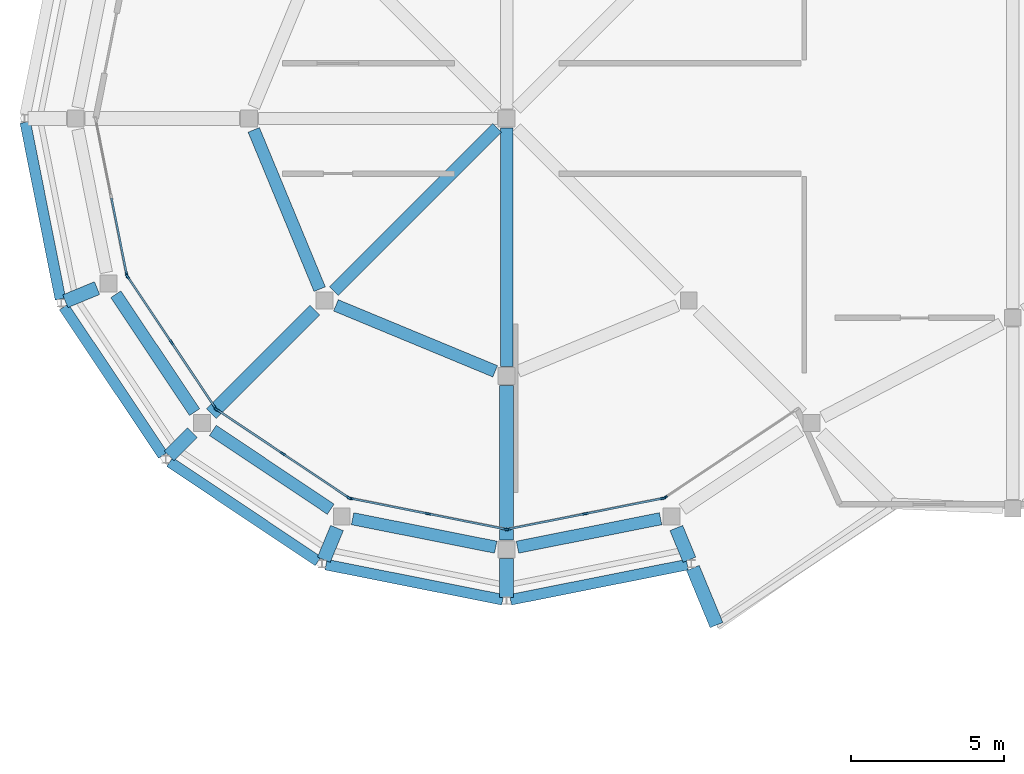
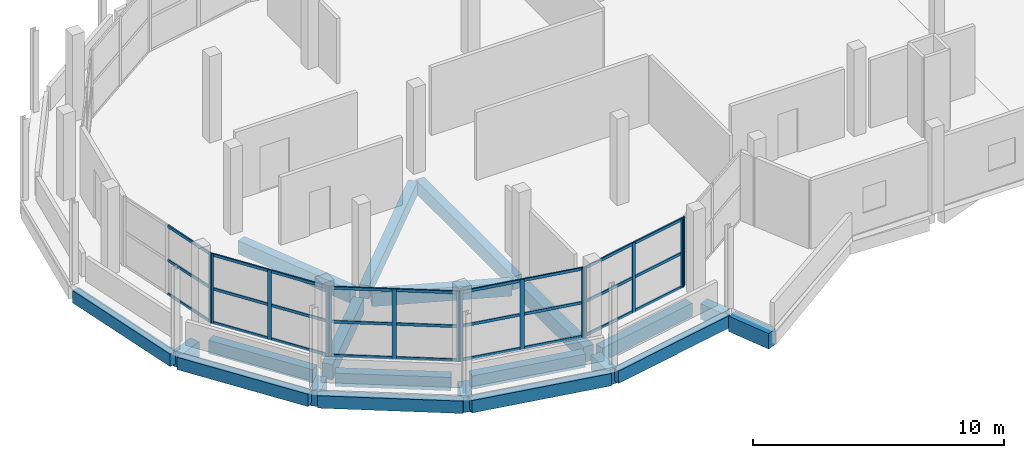
# One storey, part 6 of 63: 41 members, 21 beams, 6 elements without a shape of their own.
"""IFC4 building model written with IfcOpenShell, lengths in metres."""

from ifc_helpers import new_model, si_unit, direction, frame, origin, origin_2d, place, context, subcontext, project, spatial, rectangle, extrude, material, layer, layer_set, material_profile, profile_set, type_object, element, aggregate, save


model = new_model("IFC4")

# Units and contexts
model_context = context("Model", 3, precision=1e-05, world=origin(), true_north=direction((0.0, 1.0)))
body_context = subcontext(model_context, "Body", "Model", "MODEL_VIEW")
ifc_project = project(units=[si_unit("LENGTHUNIT", "METRE"), si_unit("AREAUNIT", "SQUARE_METRE"), si_unit("VOLUMEUNIT", "CUBIC_METRE"), si_unit("PLANEANGLEUNIT", "RADIAN"), si_unit("MASSUNIT", "GRAM", prefix="KILO")], contexts=[model_context])

# Site, building, storey
site_placement = place(None, origin())
site = spatial("IfcSite", under=ifc_project, at=site_placement, CompositionType="ELEMENT")
building_placement = place(site_placement, origin())
building = spatial("IfcBuilding", under=site, at=building_placement, Name="Jelvoka-Kovrelna Polytechnic", CompositionType="ELEMENT")
storey_placement = place(building_placement, frame((0.0, 0.0, 18.0)))
storey = spatial("IfcBuildingStorey", under=building, at=storey_placement, Name="L05", CompositionType="ELEMENT", Elevation=18.0)

# Beams
ifc_material_1 = material(Name="Concrete C40/50", Category="concrete")
ifc_material_profile_1 = material_profile(ifc_material_1, rectangle(XDim=0.39990234375, YDim=0.64990234375, at=origin_2d()), Name="RC 400x650")
ifc_profile_set_1 = profile_set([ifc_material_profile_1], Name="Concrete C40/50")
beam_type_1 = type_object("IfcBeamType", Name="Beam_RC_400x650", PredefinedType="BEAM", material=ifc_profile_set_1)
beam_1_placement = place(storey_placement, frame((25.189208984375, 42.189208984375, -0.574951171875), z_axis=(-0.707106781187, -0.707106781187, 0.0), x_axis=(0.707106781187, -0.707106781187, 0.0)))
element("IfcBeam", 1, at=beam_1_placement, inside=storey, type_object=beam_type_1, Name="L05 beam 2608", PredefinedType="BEAM", context=body_context, shape_type="SweptSolid", body=[
    extrude(rectangle(XDim=0.39990234375, YDim=0.64990234375, at=origin_2d()), origin(), (0.0, 0.0, 1.0), 7.52099609375),
])
beam_2_placement = place(storey_placement, frame((25.5, 42.195068359375, -0.574951171875), z_axis=(0.0, -1.0, 0.0), x_axis=(1.0, 0.0, 0.0)))
element("IfcBeam", 2, at=beam_2_placement, inside=storey, type_object=beam_type_1, Name="L05 beam 2610", PredefinedType="BEAM", context=body_context, shape_type="SweptSolid", body=[
    extrude(rectangle(XDim=0.39990234375, YDim=0.64990234375, at=origin_2d()), origin(), (0.0, 0.0, 1.0), 7.7900390625),
])
for number, where, z_axis, x_axis, name in (
    (3, (17.2548828125, 42.126220703125, -0.574951171875), (0.382680472226, -0.923880758636, 0.0), (0.923880758636, 0.382680472226, 0.0), "L05 beam 2617"),
    (4, (19.93408203125, 36.405517578125, -0.574951171875), (0.923880758636, -0.382680472226, 0.0), (0.382680472226, 0.923880758636, 0.0), "L05 beam 2618"),
):
    element("IfcBeam", number, at=place(storey_placement, frame(where, z_axis=z_axis, x_axis=x_axis)), inside=storey, type_object=beam_type_1, Name=name, PredefinedType="BEAM", context=body_context, shape_type="SweptSolid", body=[
        extrude(rectangle(XDim=0.39990234375, YDim=0.64990234375, at=origin_2d()), origin(), (0.0, 0.0, 1.0), 5.619873046875),
    ])
for number, where, z_axis, x_axis, name in (
    (5, (12.7587890625, 36.76513671875, -0.574951171875), (0.555553463908, -0.83148081682, 0.0), (0.83148081682, 0.555553463908, 0.0), "L05 beam 2627"),
    (6, (15.92333984375, 32.32568359375, -0.574951171875), (0.83148081682, -0.555553463908, 0.0), (0.555553463908, 0.83148081682, 0.0), "L05 beam 2628"),
):
    element("IfcBeam", number, at=place(storey_placement, frame(where, z_axis=z_axis, x_axis=x_axis)), inside=storey, type_object=beam_type_1, Name=name, PredefinedType="BEAM", context=body_context, shape_type="SweptSolid", body=[
        extrude(rectangle(XDim=0.39990234375, YDim=0.64990234375, at=origin_2d()), origin(), (0.0, 0.0, 1.0), 4.620361328125),
    ])
for number, where, z_axis, x_axis, name in (
    (7, (20.478515625, 29.44873046875, -0.574951171875), (0.98079325321, -0.195050235727, 0.0), (0.195050235727, 0.98079325321, 0.0), "L05 beam 2629"),
    (8, (25.855224609375, 28.520751953125, -0.574951171875), (0.98079325321, 0.195050235727, 0.0), (-0.195050235727, 0.98079325321, 0.0), "L05 beam 2630"),
):
    element("IfcBeam", number, at=place(storey_placement, frame(where, z_axis=z_axis, x_axis=x_axis)), inside=storey, type_object=beam_type_1, Name=name, PredefinedType="BEAM", context=body_context, shape_type="SweptSolid", body=[
        extrude(rectangle(XDim=0.39990234375, YDim=0.64990234375, at=origin_2d()), origin(), (0.0, 0.0, 1.0), 4.757568359375),
    ])
ifc_material_2 = material(Name="Concrete C40/50", Category="concrete")
ifc_material_profile_2 = material_profile(ifc_material_2, rectangle(XDim=0.449951171875, YDim=0.75, at=origin_2d()), Name="RC 450x750")
ifc_profile_set_2 = profile_set([ifc_material_profile_2], Name="Concrete C40/50")
beam_type_2 = type_object("IfcBeamType", Name="Beam_RC_450x750", PredefinedType="BEAM", material=ifc_profile_set_2)
beam_3_placement = place(storey_placement, frame((19.24951171875, 36.24951171875, -0.625), z_axis=(-0.707106781187, -0.707106781187, 0.0), x_axis=(0.707106781187, -0.707106781187, 0.0)))
element("IfcBeam", 9, at=beam_3_placement, inside=storey, type_object=beam_type_2, Name="L05 beam 2609", PredefinedType="BEAM", context=body_context, shape_type="SweptSolid", body=[
    extrude(rectangle(XDim=0.449951171875, YDim=0.75, at=origin_2d()), origin(), (0.0, 0.0, 1.0), 4.77099609375),
])
beam_4_placement = place(storey_placement, frame((25.5, 33.794921875, -0.625), z_axis=(0.0, -1.0, 0.0), x_axis=(1.0, 0.0, 0.0)))
element("IfcBeam", 10, at=beam_4_placement, inside=storey, type_object=beam_type_2, Name="L05 beam 2611", PredefinedType="BEAM", context=body_context, shape_type="SweptSolid", body=[
    extrude(rectangle(XDim=0.449951171875, YDim=0.75, at=origin_2d()), origin(), (0.0, 0.0, 1.0), 5.0400390625),
])
beam_5_placement = place(storey_placement, frame((12.145751953125, 36.968505859375, -0.625), z_axis=(-0.923881295129, -0.382679177001, 0.0), x_axis=(0.382679177001, -0.923881295129, 0.0)))
element("IfcBeam", 11, at=beam_5_placement, inside=storey, type_object=beam_type_2, Name="L05 beam 2640", PredefinedType="BEAM", context=body_context, shape_type="SweptSolid", body=[
    extrude(rectangle(XDim=0.449951171875, YDim=0.75, at=origin_2d()), origin(), (0.0, 0.0, 1.0), 1.11962890625),
])
beam_6_placement = place(storey_placement, frame((15.254150390625, 32.254150390625, -0.625), z_axis=(-0.707106781187, -0.707106781187, 0.0), x_axis=(0.707106781187, -0.707106781187, 0.0)))
element("IfcBeam", 12, at=beam_6_placement, inside=storey, type_object=beam_type_2, Name="L05 beam 2641", PredefinedType="BEAM", context=body_context, shape_type="SweptSolid", body=[
    extrude(rectangle(XDim=0.449951171875, YDim=0.75, at=origin_2d()), origin(), (0.0, 0.0, 1.0), 1.0703125),
])
beam_7_placement = place(storey_placement, frame((19.968505859375, 29.145751953125, -0.625), z_axis=(-0.382679177001, -0.923881295129, 0.0), x_axis=(0.923881295129, -0.382679177001, 0.0)))
element("IfcBeam", 13, at=beam_7_placement, inside=storey, type_object=beam_type_2, Name="L05 beam 2642", PredefinedType="BEAM", context=body_context, shape_type="SweptSolid", body=[
    extrude(rectangle(XDim=0.449951171875, YDim=0.75, at=origin_2d()), origin(), (0.0, 0.0, 1.0), 1.11962890625),
])
beam_8_placement = place(storey_placement, frame((25.5, 28.14501953125, -0.625), z_axis=(0.0, -1.0, 0.0), x_axis=(1.0, 0.0, 0.0)))
element("IfcBeam", 14, at=beam_8_placement, inside=storey, type_object=beam_type_2, Name="L05 beam 2643", PredefinedType="BEAM", context=body_context, shape_type="SweptSolid", body=[
    extrude(rectangle(XDim=0.449951171875, YDim=0.75, at=origin_2d()), origin(), (0.0, 0.0, 1.0), 1.258056640625),
])
beam_9_placement = place(storey_placement, frame((31.031494140625, 29.145751953125, -0.625), z_axis=(0.382679177001, -0.923881295129, 0.0), x_axis=(0.923881295129, 0.382679177001, 0.0)))
element("IfcBeam", 15, at=beam_9_placement, inside=storey, type_object=beam_type_2, Name="L05 beam 2644", PredefinedType="BEAM", context=body_context, shape_type="SweptSolid", body=[
    extrude(rectangle(XDim=0.449951171875, YDim=0.75, at=origin_2d()), origin(), (0.0, 0.0, 1.0), 1.11962890625),
])
beam_10_placement = place(storey_placement, frame((31.571533203125, 27.841796875, -0.625), z_axis=(0.38266938507, -0.923885350966, 0.0), x_axis=(0.923885350966, 0.38266938507, 0.0)))
element("IfcBeam", 16, at=beam_10_placement, inside=storey, type_object=beam_type_2, Name="L05 beam 2645", PredefinedType="BEAM", context=body_context, shape_type="SweptSolid", body=[
    extrude(rectangle(XDim=0.449951171875, YDim=0.75, at=origin_2d()), origin(), (0.0, 0.0, 1.0), 2.01416015625),
])

# Curtain wall, member
ifc_material_3 = material(Name="Anodised aluminium 6063-T6", Category="aluminium")
ifc_layer = layer(ifc_material_3, 0.179931640625)
ifc_layer_set = layer_set([ifc_layer], Name="Anodised aluminium 6063-T6")
curtain_wall_type = type_object("IfcCurtainWallType", Name="CW_Pavilion", PredefinedType="NOTDEFINED", material=ifc_layer_set)
curtain_wall_1_placement = place(storey_placement, origin())
curtain_wall_1 = element("IfcCurtainWall", 17, at=curtain_wall_1_placement, inside=storey, type_object=curtain_wall_type, Name="L05 glazed curtain wall 260", PredefinedType="NOTDEFINED")
ifc_material_4 = material(Name="Anodised aluminium 6063-T6", Category="aluminium")
ifc_material_profile_3 = material_profile(ifc_material_4, rectangle(XDim=0.06494140625, YDim=0.179931640625, at=origin_2d()), Name="ALU 65x180")
ifc_profile_set_3 = profile_set([ifc_material_profile_3], Name="Anodised aluminium 6063-T6")
member_type_1 = type_object("IfcMemberType", Name="Mullion_M-05", PredefinedType="MULLION", material=ifc_profile_set_3)
member_1_placement = place(storey_placement, frame((13.11376953125, 37.40380859375, -0.02490234375), z_axis=(0.0, 0.0, 1.0), x_axis=(-0.980786108197, -0.195086160371, 0.0)))
member_1 = element("IfcMember", 18, at=member_1_placement, type_object=member_type_1, Name="CW-05 mullion 1", PredefinedType="MULLION", context=body_context, shape_type="SweptSolid", body=[
    extrude(rectangle(XDim=0.06494140625, YDim=0.179931640625, at=origin_2d()), origin(), (0.0, 0.0, 1.0), 3.400146484375),
])

# Curtain wall, members
curtain_wall_2_placement = place(storey_placement, origin())
curtain_wall_2 = element("IfcCurtainWall", 19, at=curtain_wall_2_placement, inside=storey, type_object=curtain_wall_type, Name="L05 glazed curtain wall 261", PredefinedType="NOTDEFINED")
member_2_placement = place(storey_placement, frame((16.0068359375, 33.0517578125, -0.02490234375), z_axis=(0.0, 0.0, 1.0), x_axis=(-0.83146132254, -0.555582639326, 0.0)))
member_2 = element("IfcMember", 20, at=member_2_placement, type_object=member_type_1, Name="CW-05 mullion 1", PredefinedType="MULLION", context=body_context, shape_type="SweptSolid", body=[
    extrude(rectangle(XDim=0.06494140625, YDim=0.179931640625, at=origin_2d()), origin(), (0.0, 0.0, 1.0), 3.400146484375),
])
member_3_placement = place(storey_placement, frame((14.572509765625, 35.198486328125, -0.02490234375), z_axis=(0.0, 0.0, 1.0), x_axis=(-0.83146132254, -0.555582639326, 0.0)))
member_3 = element("IfcMember", 21, at=member_3_placement, type_object=member_type_1, Name="CW-05 mullion 2", PredefinedType="MULLION", context=body_context, shape_type="SweptSolid", body=[
    extrude(rectangle(XDim=0.06494140625, YDim=0.179931640625, at=origin_2d()), origin(), (0.0, 0.0, 1.0), 3.400146484375),
])
member_4_placement = place(storey_placement, frame((13.137939453125, 37.344970703125, -0.02490234375), z_axis=(0.0, 0.0, 1.0), x_axis=(-0.83146132254, -0.555582639326, 0.0)))
member_4 = element("IfcMember", 22, at=member_4_placement, type_object=member_type_1, Name="CW-05 mullion 3", PredefinedType="MULLION", context=body_context, shape_type="SweptSolid", body=[
    extrude(rectangle(XDim=0.06494140625, YDim=0.179931640625, at=origin_2d()), origin(), (0.0, 0.0, 1.0), 3.400146484375),
])

curtain_wall_3_placement = place(storey_placement, origin())
curtain_wall_3 = element("IfcCurtainWall", 23, at=curtain_wall_3_placement, inside=storey, type_object=curtain_wall_type, Name="L05 glazed curtain wall 262", PredefinedType="NOTDEFINED")
member_5_placement = place(storey_placement, frame((20.344970703125, 30.137939453125, -0.02490234375), z_axis=(0.0, 0.0, 1.0), x_axis=(-0.555582639326, -0.83146132254, 0.0)))
member_5 = element("IfcMember", 24, at=member_5_placement, type_object=member_type_1, Name="CW-05 mullion 1", PredefinedType="MULLION", context=body_context, shape_type="SweptSolid", body=[
    extrude(rectangle(XDim=0.06494140625, YDim=0.179931640625, at=origin_2d()), origin(), (0.0, 0.0, 1.0), 3.400146484375),
])
member_6_placement = place(storey_placement, frame((18.198486328125, 31.572509765625, -0.02490234375), z_axis=(0.0, 0.0, 1.0), x_axis=(-0.555582639326, -0.83146132254, 0.0)))
member_6 = element("IfcMember", 25, at=member_6_placement, type_object=member_type_1, Name="CW-05 mullion 2", PredefinedType="MULLION", context=body_context, shape_type="SweptSolid", body=[
    extrude(rectangle(XDim=0.06494140625, YDim=0.179931640625, at=origin_2d()), origin(), (0.0, 0.0, 1.0), 3.400146484375),
])
member_7_placement = place(storey_placement, frame((16.0517578125, 33.0068359375, -0.02490234375), z_axis=(0.0, 0.0, 1.0), x_axis=(-0.555582639326, -0.83146132254, 0.0)))
member_7 = element("IfcMember", 26, at=member_7_placement, type_object=member_type_1, Name="CW-05 mullion 3", PredefinedType="MULLION", context=body_context, shape_type="SweptSolid", body=[
    extrude(rectangle(XDim=0.06494140625, YDim=0.179931640625, at=origin_2d()), origin(), (0.0, 0.0, 1.0), 3.400146484375),
])

curtain_wall_4_placement = place(storey_placement, origin())
curtain_wall_4 = element("IfcCurtainWall", 27, at=curtain_wall_4_placement, inside=storey, type_object=curtain_wall_type, Name="L05 glazed curtain wall 263", PredefinedType="NOTDEFINED")
member_8_placement = place(storey_placement, frame((25.468017578125, 29.1064453125, -0.02490234375), z_axis=(0.0, 0.0, 1.0), x_axis=(-0.195086160371, -0.980786108197, 0.0)))
member_8 = element("IfcMember", 28, at=member_8_placement, type_object=member_type_1, Name="CW-05 mullion 1", PredefinedType="MULLION", context=body_context, shape_type="SweptSolid", body=[
    extrude(rectangle(XDim=0.06494140625, YDim=0.179931640625, at=origin_2d()), origin(), (0.0, 0.0, 1.0), 3.400146484375),
])
member_9_placement = place(storey_placement, frame((22.93603515625, 29.610107421875, -0.02490234375), z_axis=(0.0, 0.0, 1.0), x_axis=(-0.195086160371, -0.980786108197, 0.0)))
member_9 = element("IfcMember", 29, at=member_9_placement, type_object=member_type_1, Name="CW-05 mullion 2", PredefinedType="MULLION", context=body_context, shape_type="SweptSolid", body=[
    extrude(rectangle(XDim=0.06494140625, YDim=0.179931640625, at=origin_2d()), origin(), (0.0, 0.0, 1.0), 3.400146484375),
])
member_10_placement = place(storey_placement, frame((20.40380859375, 30.11376953125, -0.02490234375), z_axis=(0.0, 0.0, 1.0), x_axis=(-0.195086160371, -0.980786108197, 0.0)))
member_10 = element("IfcMember", 30, at=member_10_placement, type_object=member_type_1, Name="CW-05 mullion 3", PredefinedType="MULLION", context=body_context, shape_type="SweptSolid", body=[
    extrude(rectangle(XDim=0.06494140625, YDim=0.179931640625, at=origin_2d()), origin(), (0.0, 0.0, 1.0), 3.400146484375),
])

curtain_wall_5_placement = place(storey_placement, origin())
curtain_wall_5 = element("IfcCurtainWall", 31, at=curtain_wall_5_placement, inside=storey, type_object=curtain_wall_type, Name="L05 glazed curtain wall 264", PredefinedType="NOTDEFINED")
member_11_placement = place(storey_placement, frame((30.59619140625, 30.11376953125, -0.02490234375), z_axis=(0.0, 0.0, 1.0), x_axis=(0.195086160371, -0.980786108197, 0.0)))
member_11 = element("IfcMember", 32, at=member_11_placement, type_object=member_type_1, Name="CW-05 mullion 1", PredefinedType="MULLION", context=body_context, shape_type="SweptSolid", body=[
    extrude(rectangle(XDim=0.06494140625, YDim=0.179931640625, at=origin_2d()), origin(), (0.0, 0.0, 1.0), 3.400146484375),
])
member_12_placement = place(storey_placement, frame((28.06396484375, 29.610107421875, -0.02490234375), z_axis=(0.0, 0.0, 1.0), x_axis=(0.195086160371, -0.980786108197, 0.0)))
member_12 = element("IfcMember", 33, at=member_12_placement, type_object=member_type_1, Name="CW-05 mullion 2", PredefinedType="MULLION", context=body_context, shape_type="SweptSolid", body=[
    extrude(rectangle(XDim=0.06494140625, YDim=0.179931640625, at=origin_2d()), origin(), (0.0, 0.0, 1.0), 3.400146484375),
])
member_13_placement = place(storey_placement, frame((25.531982421875, 29.1064453125, -0.02490234375), z_axis=(0.0, 0.0, 1.0), x_axis=(0.195086160371, -0.980786108197, 0.0)))
member_13 = element("IfcMember", 34, at=member_13_placement, type_object=member_type_1, Name="CW-05 mullion 3", PredefinedType="MULLION", context=body_context, shape_type="SweptSolid", body=[
    extrude(rectangle(XDim=0.06494140625, YDim=0.179931640625, at=origin_2d()), origin(), (0.0, 0.0, 1.0), 3.400146484375),
])

# Curtain wall, member
curtain_wall_6_placement = place(storey_placement, origin())
curtain_wall_6 = element("IfcCurtainWall", 35, at=curtain_wall_6_placement, inside=storey, type_object=curtain_wall_type, Name="L05 glazed curtain wall 265", PredefinedType="NOTDEFINED")
member_14_placement = place(storey_placement, frame((30.655029296875, 30.137939453125, -0.02490234375), z_axis=(0.0, 0.0, 1.0), x_axis=(0.555582639326, -0.83146132254, 0.0)))
member_14 = element("IfcMember", 36, at=member_14_placement, type_object=member_type_1, Name="CW-05 mullion 3", PredefinedType="MULLION", context=body_context, shape_type="SweptSolid", body=[
    extrude(rectangle(XDim=0.06494140625, YDim=0.179931640625, at=origin_2d()), origin(), (0.0, 0.0, 1.0), 3.400146484375),
])
aggregate(curtain_wall_6, [member_14])

# Beams
ifc_material_5 = material(Name="Concrete C40/50", Category="concrete")
ifc_material_profile_4 = material_profile(ifc_material_5, rectangle(XDim=0.35009765625, YDim=0.60009765625, at=origin_2d()), Name="RC 350x600")
ifc_profile_set_4 = profile_set([ifc_material_profile_4], Name="Concrete C40/50")
beam_type_3 = type_object("IfcBeamType", Name="Spandrel_RC_350x600", PredefinedType="SPANDREL", material=ifc_profile_set_4)
beam_11_placement = place(storey_placement, frame((9.80517578125, 42.373046875, -0.550048828125), z_axis=(0.195109079005, -0.98078154922, 0.0), x_axis=(0.98078154922, 0.195109079005, 0.0)))
element("IfcBeam", 37, at=beam_11_placement, inside=storey, type_object=beam_type_3, Name="L05 beam 2651", PredefinedType="SPANDREL", context=body_context, shape_type="SweptSolid", body=[
    extrude(rectangle(XDim=0.35009765625, YDim=0.60009765625, at=origin_2d()), origin(), (0.0, 0.0, 1.0), 5.874755859375),
])
for number, where, z_axis, x_axis, name in (
    (38, (11.0634765625, 36.3544921875, -0.550048828125), (0.555561254279, -0.831475611635, 0.0), (0.831475611635, 0.555561254279, 0.0), "L05 beam 2652"),
    (39, (14.51416015625, 31.297607421875, -0.550048828125), (0.831475611635, -0.555561254279, 0.0), (0.555561254279, 0.831475611635, 0.0), "L05 beam 2653"),
):
    element("IfcBeam", number, at=place(storey_placement, frame(where, z_axis=z_axis, x_axis=x_axis)), inside=storey, type_object=beam_type_3, Name=name, PredefinedType="SPANDREL", context=body_context, shape_type="SweptSolid", body=[
        extrude(rectangle(XDim=0.35009765625, YDim=0.60009765625, at=origin_2d()), origin(), (0.0, 0.0, 1.0), 5.8212890625),
    ])
for number, where, z_axis, x_axis, name in (
    (40, (19.611083984375, 27.951416015625, -0.550048828125), (0.98078154922, -0.195109079005, 0.0), (0.195109079005, 0.98078154922, 0.0), "L05 beam 2654"),
    (41, (25.626953125, 26.80517578125, -0.550048828125), (0.98078154922, 0.195109079005, 0.0), (-0.195109079005, 0.98078154922, 0.0), "L05 beam 2655"),
):
    element("IfcBeam", number, at=place(storey_placement, frame(where, z_axis=z_axis, x_axis=x_axis)), inside=storey, type_object=beam_type_3, Name=name, PredefinedType="SPANDREL", context=body_context, shape_type="SweptSolid", body=[
        extrude(rectangle(XDim=0.35009765625, YDim=0.60009765625, at=origin_2d()), origin(), (0.0, 0.0, 1.0), 5.874755859375),
    ])

# Member
ifc_material_6 = material(Name="Anodised aluminium 6063-T6", Category="aluminium")
ifc_material_profile_5 = material_profile(ifc_material_6, rectangle(XDim=0.06494140625, YDim=0.135009765625, at=origin_2d()), Name="ALU 65x135")
ifc_profile_set_5 = profile_set([ifc_material_profile_5], Name="Anodised aluminium 6063-T6")
member_type_2 = type_object("IfcMemberType", Name="Transom_T-05", PredefinedType="USERDEFINED", material=ifc_profile_set_5)
member_15_placement = place(storey_placement, frame((13.107421875, 37.435791015625, 0.032470703125), z_axis=(-0.195089945547, 0.980785355287, 0.0), x_axis=(-0.980785355287, -0.195089945547, 0.0)))
member_15 = element("IfcMember", 42, at=member_15_placement, type_object=member_type_2, Name="CW-05 transom 1.1", ObjectType="TRANSOM", PredefinedType="USERDEFINED", context=body_context, shape_type="SweptSolid", body=[
    extrude(rectangle(XDim=0.06494140625, YDim=0.135009765625, at=origin_2d()), origin(), (0.0, 0.0, 1.0), 2.5166015625),
])

member_16_placement = place(storey_placement, frame((13.107421875, 37.435791015625, 1.675048828125), z_axis=(-0.195089945547, 0.980785355287, 0.0), x_axis=(-0.980785355287, -0.195089945547, 0.0)))
member_16 = element("IfcMember", 43, at=member_16_placement, type_object=member_type_2, Name="CW-05 transom 1.2", ObjectType="TRANSOM", PredefinedType="USERDEFINED", context=body_context, shape_type="SweptSolid", body=[
    extrude(rectangle(XDim=0.06494140625, YDim=0.135009765625, at=origin_2d()), origin(), (0.0, 0.0, 1.0), 2.5166015625),
])

member_17_placement = place(storey_placement, frame((13.107421875, 37.435791015625, 3.3173828125), z_axis=(-0.195089945547, 0.980785355287, 0.0), x_axis=(-0.980785355287, -0.195089945547, 0.0)))
member_17 = element("IfcMember", 44, at=member_17_placement, type_object=member_type_2, Name="CW-05 transom 1.3", ObjectType="TRANSOM", PredefinedType="USERDEFINED", context=body_context, shape_type="SweptSolid", body=[
    extrude(rectangle(XDim=0.06494140625, YDim=0.135009765625, at=origin_2d()), origin(), (0.0, 0.0, 1.0), 2.5166015625),
])

aggregate(curtain_wall_1, [member_1, member_15, member_16, member_17])

member_18_placement = place(storey_placement, frame((15.98876953125, 33.078857421875, 0.032470703125), z_axis=(-0.555572975667, 0.831467779718, 0.0), x_axis=(-0.831467779718, -0.555572975667, 0.0)))
member_18 = element("IfcMember", 45, at=member_18_placement, type_object=member_type_2, Name="CW-05 transom 1.1", ObjectType="TRANSOM", PredefinedType="USERDEFINED", context=body_context, shape_type="SweptSolid", body=[
    extrude(rectangle(XDim=0.06494140625, YDim=0.135009765625, at=origin_2d()), origin(), (0.0, 0.0, 1.0), 2.5166015625),
])

member_19_placement = place(storey_placement, frame((15.98876953125, 33.078857421875, 1.675048828125), z_axis=(-0.555572975667, 0.831467779718, 0.0), x_axis=(-0.831467779718, -0.555572975667, 0.0)))
member_19 = element("IfcMember", 46, at=member_19_placement, type_object=member_type_2, Name="CW-05 transom 1.2", ObjectType="TRANSOM", PredefinedType="USERDEFINED", context=body_context, shape_type="SweptSolid", body=[
    extrude(rectangle(XDim=0.06494140625, YDim=0.135009765625, at=origin_2d()), origin(), (0.0, 0.0, 1.0), 2.5166015625),
])

member_20_placement = place(storey_placement, frame((15.98876953125, 33.078857421875, 3.3173828125), z_axis=(-0.555572975667, 0.831467779718, 0.0), x_axis=(-0.831467779718, -0.555572975667, 0.0)))
member_20 = element("IfcMember", 47, at=member_20_placement, type_object=member_type_2, Name="CW-05 transom 1.3", ObjectType="TRANSOM", PredefinedType="USERDEFINED", context=body_context, shape_type="SweptSolid", body=[
    extrude(rectangle(XDim=0.06494140625, YDim=0.135009765625, at=origin_2d()), origin(), (0.0, 0.0, 1.0), 2.5166015625),
])

member_21_placement = place(storey_placement, frame((14.554443359375, 35.225341796875, 0.032470703125), z_axis=(-0.555640036612, 0.831422966795, 0.0), x_axis=(-0.831422966795, -0.555640036612, 0.0)))
member_21 = element("IfcMember", 48, at=member_21_placement, type_object=member_type_2, Name="CW-05 transom 2.1", ObjectType="TRANSOM", PredefinedType="USERDEFINED", context=body_context, shape_type="SweptSolid", body=[
    extrude(rectangle(XDim=0.06494140625, YDim=0.135009765625, at=origin_2d()), origin(), (0.0, 0.0, 1.0), 2.516845703125),
])

member_22_placement = place(storey_placement, frame((14.554443359375, 35.225341796875, 1.675048828125), z_axis=(-0.555640036612, 0.831422966795, 0.0), x_axis=(-0.831422966795, -0.555640036612, 0.0)))
member_22 = element("IfcMember", 49, at=member_22_placement, type_object=member_type_2, Name="CW-05 transom 2.2", ObjectType="TRANSOM", PredefinedType="USERDEFINED", context=body_context, shape_type="SweptSolid", body=[
    extrude(rectangle(XDim=0.06494140625, YDim=0.135009765625, at=origin_2d()), origin(), (0.0, 0.0, 1.0), 2.516845703125),
])

member_23_placement = place(storey_placement, frame((14.554443359375, 35.225341796875, 3.3173828125), z_axis=(-0.555640036612, 0.831422966795, 0.0), x_axis=(-0.831422966795, -0.555640036612, 0.0)))
member_23 = element("IfcMember", 50, at=member_23_placement, type_object=member_type_2, Name="CW-05 transom 2.3", ObjectType="TRANSOM", PredefinedType="USERDEFINED", context=body_context, shape_type="SweptSolid", body=[
    extrude(rectangle(XDim=0.06494140625, YDim=0.135009765625, at=origin_2d()), origin(), (0.0, 0.0, 1.0), 2.516845703125),
])

aggregate(curtain_wall_2, [member_2, member_3, member_4, member_18, member_19, member_20, member_21, member_22, member_23])

member_24_placement = place(storey_placement, frame((20.31787109375, 30.156005859375, 0.032470703125), z_axis=(-0.831422966795, 0.555640036612, 0.0), x_axis=(-0.555640036612, -0.831422966795, 0.0)))
member_24 = element("IfcMember", 51, at=member_24_placement, type_object=member_type_2, Name="CW-05 transom 1.1", ObjectType="TRANSOM", PredefinedType="USERDEFINED", context=body_context, shape_type="SweptSolid", body=[
    extrude(rectangle(XDim=0.06494140625, YDim=0.135009765625, at=origin_2d()), origin(), (0.0, 0.0, 1.0), 2.516845703125),
])

member_25_placement = place(storey_placement, frame((20.31787109375, 30.156005859375, 1.675048828125), z_axis=(-0.831422966795, 0.555640036612, 0.0), x_axis=(-0.555640036612, -0.831422966795, 0.0)))
member_25 = element("IfcMember", 52, at=member_25_placement, type_object=member_type_2, Name="CW-05 transom 1.2", ObjectType="TRANSOM", PredefinedType="USERDEFINED", context=body_context, shape_type="SweptSolid", body=[
    extrude(rectangle(XDim=0.06494140625, YDim=0.135009765625, at=origin_2d()), origin(), (0.0, 0.0, 1.0), 2.516845703125),
])

member_26_placement = place(storey_placement, frame((20.31787109375, 30.156005859375, 3.3173828125), z_axis=(-0.831422966795, 0.555640036612, 0.0), x_axis=(-0.555640036612, -0.831422966795, 0.0)))
member_26 = element("IfcMember", 53, at=member_26_placement, type_object=member_type_2, Name="CW-05 transom 1.3", ObjectType="TRANSOM", PredefinedType="USERDEFINED", context=body_context, shape_type="SweptSolid", body=[
    extrude(rectangle(XDim=0.06494140625, YDim=0.135009765625, at=origin_2d()), origin(), (0.0, 0.0, 1.0), 2.516845703125),
])

member_27_placement = place(storey_placement, frame((18.17138671875, 31.590576171875, 0.032470703125), z_axis=(-0.831467779718, 0.555572975667, 0.0), x_axis=(-0.555572975667, -0.831467779718, 0.0)))
member_27 = element("IfcMember", 54, at=member_27_placement, type_object=member_type_2, Name="CW-05 transom 2.1", ObjectType="TRANSOM", PredefinedType="USERDEFINED", context=body_context, shape_type="SweptSolid", body=[
    extrude(rectangle(XDim=0.06494140625, YDim=0.135009765625, at=origin_2d()), origin(), (0.0, 0.0, 1.0), 2.5166015625),
])

member_28_placement = place(storey_placement, frame((18.17138671875, 31.590576171875, 1.675048828125), z_axis=(-0.831467779718, 0.555572975667, 0.0), x_axis=(-0.555572975667, -0.831467779718, 0.0)))
member_28 = element("IfcMember", 55, at=member_28_placement, type_object=member_type_2, Name="CW-05 transom 2.2", ObjectType="TRANSOM", PredefinedType="USERDEFINED", context=body_context, shape_type="SweptSolid", body=[
    extrude(rectangle(XDim=0.06494140625, YDim=0.135009765625, at=origin_2d()), origin(), (0.0, 0.0, 1.0), 2.5166015625),
])

member_29_placement = place(storey_placement, frame((18.17138671875, 31.590576171875, 3.3173828125), z_axis=(-0.831467779718, 0.555572975667, 0.0), x_axis=(-0.555572975667, -0.831467779718, 0.0)))
member_29 = element("IfcMember", 56, at=member_29_placement, type_object=member_type_2, Name="CW-05 transom 2.3", ObjectType="TRANSOM", PredefinedType="USERDEFINED", context=body_context, shape_type="SweptSolid", body=[
    extrude(rectangle(XDim=0.06494140625, YDim=0.135009765625, at=origin_2d()), origin(), (0.0, 0.0, 1.0), 2.5166015625),
])

aggregate(curtain_wall_3, [member_5, member_6, member_7, member_24, member_25, member_26, member_27, member_28, member_29])

member_30_placement = place(storey_placement, frame((25.436279296875, 29.11279296875, 0.032470703125), z_axis=(-0.980789047023, 0.195071384983, 0.0), x_axis=(-0.195071384983, -0.980789047023, 0.0)))
member_30 = element("IfcMember", 57, at=member_30_placement, type_object=member_type_2, Name="CW-05 transom 1.1", ObjectType="TRANSOM", PredefinedType="USERDEFINED", context=body_context, shape_type="SweptSolid", body=[
    extrude(rectangle(XDim=0.06494140625, YDim=0.135009765625, at=origin_2d()), origin(), (0.0, 0.0, 1.0), 2.516845703125),
])

member_31_placement = place(storey_placement, frame((25.436279296875, 29.11279296875, 1.675048828125), z_axis=(-0.980789047023, 0.195071384983, 0.0), x_axis=(-0.195071384983, -0.980789047023, 0.0)))
member_31 = element("IfcMember", 58, at=member_31_placement, type_object=member_type_2, Name="CW-05 transom 1.2", ObjectType="TRANSOM", PredefinedType="USERDEFINED", context=body_context, shape_type="SweptSolid", body=[
    extrude(rectangle(XDim=0.06494140625, YDim=0.135009765625, at=origin_2d()), origin(), (0.0, 0.0, 1.0), 2.516845703125),
])

member_32_placement = place(storey_placement, frame((25.436279296875, 29.11279296875, 3.3173828125), z_axis=(-0.980789047023, 0.195071384983, 0.0), x_axis=(-0.195071384983, -0.980789047023, 0.0)))
member_32 = element("IfcMember", 59, at=member_32_placement, type_object=member_type_2, Name="CW-05 transom 1.3", ObjectType="TRANSOM", PredefinedType="USERDEFINED", context=body_context, shape_type="SweptSolid", body=[
    extrude(rectangle(XDim=0.06494140625, YDim=0.135009765625, at=origin_2d()), origin(), (0.0, 0.0, 1.0), 2.516845703125),
])

member_33_placement = place(storey_placement, frame((22.904052734375, 29.616455078125, 0.032470703125), z_axis=(-0.980785355287, 0.195089945547, 0.0), x_axis=(-0.195089945547, -0.980785355287, 0.0)))
member_33 = element("IfcMember", 60, at=member_33_placement, type_object=member_type_2, Name="CW-05 transom 2.1", ObjectType="TRANSOM", PredefinedType="USERDEFINED", context=body_context, shape_type="SweptSolid", body=[
    extrude(rectangle(XDim=0.06494140625, YDim=0.135009765625, at=origin_2d()), origin(), (0.0, 0.0, 1.0), 2.5166015625),
])

member_34_placement = place(storey_placement, frame((22.904052734375, 29.616455078125, 1.675048828125), z_axis=(-0.980785355287, 0.195089945547, 0.0), x_axis=(-0.195089945547, -0.980785355287, 0.0)))
member_34 = element("IfcMember", 61, at=member_34_placement, type_object=member_type_2, Name="CW-05 transom 2.2", ObjectType="TRANSOM", PredefinedType="USERDEFINED", context=body_context, shape_type="SweptSolid", body=[
    extrude(rectangle(XDim=0.06494140625, YDim=0.135009765625, at=origin_2d()), origin(), (0.0, 0.0, 1.0), 2.5166015625),
])

member_35_placement = place(storey_placement, frame((22.904052734375, 29.616455078125, 3.3173828125), z_axis=(-0.980785355287, 0.195089945547, 0.0), x_axis=(-0.195089945547, -0.980785355287, 0.0)))
member_35 = element("IfcMember", 62, at=member_35_placement, type_object=member_type_2, Name="CW-05 transom 2.3", ObjectType="TRANSOM", PredefinedType="USERDEFINED", context=body_context, shape_type="SweptSolid", body=[
    extrude(rectangle(XDim=0.06494140625, YDim=0.135009765625, at=origin_2d()), origin(), (0.0, 0.0, 1.0), 2.5166015625),
])

aggregate(curtain_wall_4, [member_8, member_9, member_10, member_30, member_31, member_32, member_33, member_34, member_35])

member_36_placement = place(storey_placement, frame((30.564208984375, 30.107421875, 0.032470703125), z_axis=(-0.980785355287, -0.195089945547, 0.0), x_axis=(0.195089945547, -0.980785355287, 0.0)))
member_36 = element("IfcMember", 63, at=member_36_placement, type_object=member_type_2, Name="CW-05 transom 1.1", ObjectType="TRANSOM", PredefinedType="USERDEFINED", context=body_context, shape_type="SweptSolid", body=[
    extrude(rectangle(XDim=0.06494140625, YDim=0.135009765625, at=origin_2d()), origin(), (0.0, 0.0, 1.0), 2.5166015625),
])

member_37_placement = place(storey_placement, frame((30.564208984375, 30.107421875, 1.675048828125), z_axis=(-0.980785355287, -0.195089945547, 0.0), x_axis=(0.195089945547, -0.980785355287, 0.0)))
member_37 = element("IfcMember", 64, at=member_37_placement, type_object=member_type_2, Name="CW-05 transom 1.2", ObjectType="TRANSOM", PredefinedType="USERDEFINED", context=body_context, shape_type="SweptSolid", body=[
    extrude(rectangle(XDim=0.06494140625, YDim=0.135009765625, at=origin_2d()), origin(), (0.0, 0.0, 1.0), 2.5166015625),
])

member_38_placement = place(storey_placement, frame((30.564208984375, 30.107421875, 3.3173828125), z_axis=(-0.980785355287, -0.195089945547, 0.0), x_axis=(0.195089945547, -0.980785355287, 0.0)))
member_38 = element("IfcMember", 65, at=member_38_placement, type_object=member_type_2, Name="CW-05 transom 1.3", ObjectType="TRANSOM", PredefinedType="USERDEFINED", context=body_context, shape_type="SweptSolid", body=[
    extrude(rectangle(XDim=0.06494140625, YDim=0.135009765625, at=origin_2d()), origin(), (0.0, 0.0, 1.0), 2.5166015625),
])

member_39_placement = place(storey_placement, frame((28.0322265625, 29.603759765625, 0.032470703125), z_axis=(-0.980789047023, -0.195071384983, 0.0), x_axis=(0.195071384983, -0.980789047023, 0.0)))
member_39 = element("IfcMember", 66, at=member_39_placement, type_object=member_type_2, Name="CW-05 transom 2.1", ObjectType="TRANSOM", PredefinedType="USERDEFINED", context=body_context, shape_type="SweptSolid", body=[
    extrude(rectangle(XDim=0.06494140625, YDim=0.135009765625, at=origin_2d()), origin(), (0.0, 0.0, 1.0), 2.516845703125),
])

member_40_placement = place(storey_placement, frame((28.0322265625, 29.603759765625, 1.675048828125), z_axis=(-0.980789047023, -0.195071384983, 0.0), x_axis=(0.195071384983, -0.980789047023, 0.0)))
member_40 = element("IfcMember", 67, at=member_40_placement, type_object=member_type_2, Name="CW-05 transom 2.2", ObjectType="TRANSOM", PredefinedType="USERDEFINED", context=body_context, shape_type="SweptSolid", body=[
    extrude(rectangle(XDim=0.06494140625, YDim=0.135009765625, at=origin_2d()), origin(), (0.0, 0.0, 1.0), 2.516845703125),
])

member_41_placement = place(storey_placement, frame((28.0322265625, 29.603759765625, 3.3173828125), z_axis=(-0.980789047023, -0.195071384983, 0.0), x_axis=(0.195071384983, -0.980789047023, 0.0)))
member_41 = element("IfcMember", 68, at=member_41_placement, type_object=member_type_2, Name="CW-05 transom 2.3", ObjectType="TRANSOM", PredefinedType="USERDEFINED", context=body_context, shape_type="SweptSolid", body=[
    extrude(rectangle(XDim=0.06494140625, YDim=0.135009765625, at=origin_2d()), origin(), (0.0, 0.0, 1.0), 2.516845703125),
])

aggregate(curtain_wall_5, [member_11, member_12, member_13, member_36, member_37, member_38, member_39, member_40, member_41])

save(model, "model.ifc")
